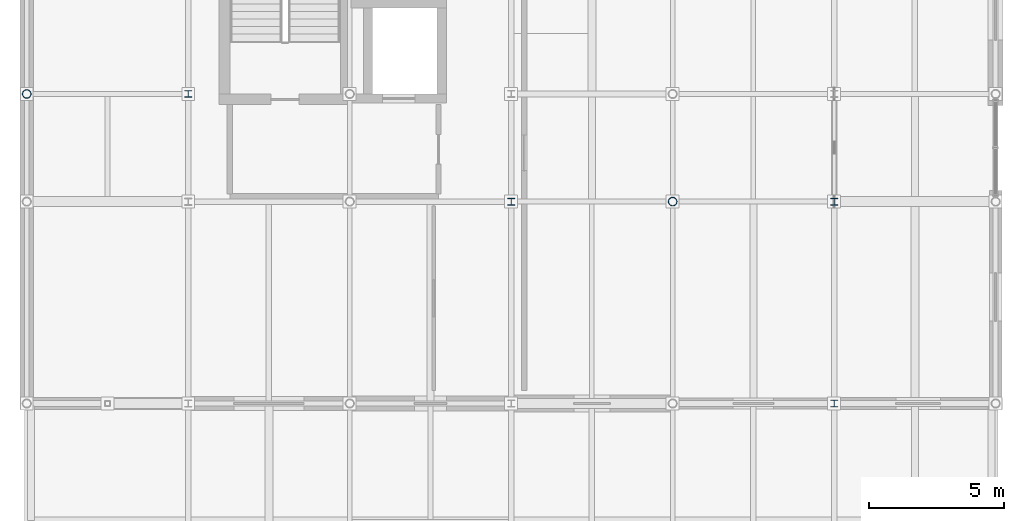
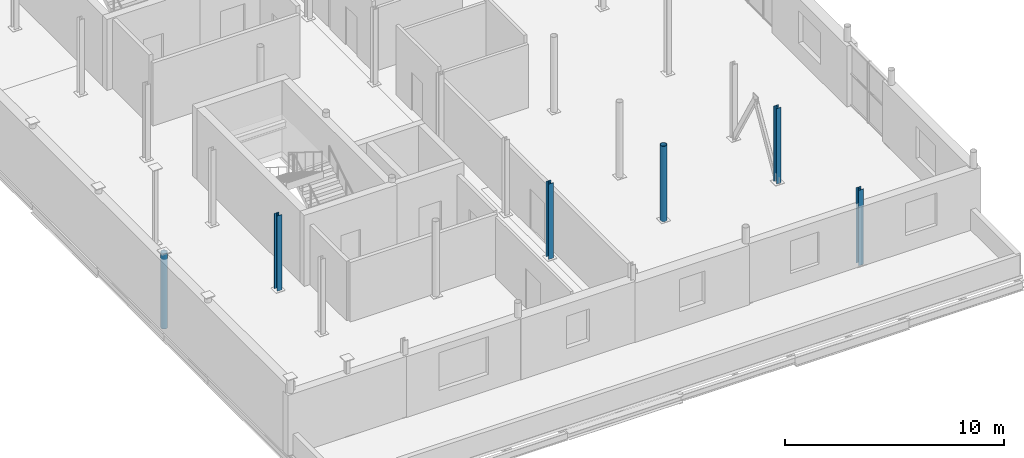
# One storey, part 2 of 30: 6 columns.
"""IFC4 building model written with IfcOpenShell, lengths in metres."""

from ifc_helpers import new_model, si_unit, direction, frame, origin, origin_2d, place, context, subcontext, project, spatial, hollow_circle, i_section, extrude, material, material_profile, profile_set, type_object, element, save


model = new_model("IFC4")

# Units and contexts
model_context = context("Model", 3, precision=1e-05, world=origin(), true_north=direction((0.0, 1.0)))
body_context = subcontext(model_context, "Body", "Model", "MODEL_VIEW")
ifc_project = project(units=[si_unit("LENGTHUNIT", "METRE"), si_unit("AREAUNIT", "SQUARE_METRE"), si_unit("VOLUMEUNIT", "CUBIC_METRE"), si_unit("PLANEANGLEUNIT", "RADIAN"), si_unit("MASSUNIT", "GRAM", prefix="KILO")], contexts=[model_context])

# Site, building, storey
site_placement = place(None, origin())
site = spatial("IfcSite", under=ifc_project, at=site_placement, CompositionType="ELEMENT")
building_placement = place(site_placement, origin())
building = spatial("IfcBuilding", under=site, at=building_placement, Name="Verrall Gate Interchange", CompositionType="ELEMENT")
storey_placement = place(building_placement, frame((0.0, 0.0, 19.39990234375)))
storey = spatial("IfcBuildingStorey", under=building, at=storey_placement, Name="L05", CompositionType="ELEMENT", Elevation=19.39990234375)

# Columns
ifc_material_1 = material(Name="Structural Steel CSA G40.21 350W", Category="steel")
ifc_material_profile_1 = material_profile(ifc_material_1, i_section(OverallWidth=0.25390625, OverallDepth=0.2529296875, WebThickness=0.008544921875, FlangeThickness=0.01416015625, FilletRadius=0.011962890625, at=origin_2d()), Name="W250x73")
ifc_profile_set_1 = profile_set([ifc_material_profile_1], Name="Structural Steel CSA G40.21 350W")
column_type_1 = type_object("IfcColumnType", Name="C-11 Column W250x73", PredefinedType="COLUMN", material=ifc_profile_set_1)
for number, where, z_axis, x_axis, name in (
    (1, (6.0, 16.0, 0.0), (0.0, 0.0, 1.0), (1.0, 0.0, 0.0), "L05 Column COL-L05-0160 (C-11)"),
    (2, (18.0, 12.0, 0.0), (0.0, 0.0, 1.0), (1.0, 0.0, 0.0), "L05 Column COL-L05-0385 (C-11)"),
    (3, (30.0, 4.5, 0.0), (0.0, 0.0, 1.0), (1.0, 0.0, 0.0), "L05 Column COL-L05-0611 (C-11)"),
    (4, (30.0, 12.0, 0.0), (0.0, 0.0, 1.0), (1.0, 0.0, 0.0), "L05 Column COL-L05-0619 (C-11)"),
):
    element("IfcColumn", number, at=place(storey_placement, frame(where, z_axis=z_axis, x_axis=x_axis)), inside=storey, type_object=column_type_1, Name=name, PredefinedType="COLUMN", context=body_context, shape_type="SweptSolid", body=[
        extrude(i_section(OverallWidth=0.25390625, OverallDepth=0.2529296875, WebThickness=0.008544921875, FlangeThickness=0.01416015625, FilletRadius=0.011962890625, at=origin_2d()), origin(), (0.0, 0.0, 1.0), 4.2001953125),
    ])
ifc_material_2 = material(Name="Structural Steel CSA G40.21 350WT Cat 4", Category="steel")
ifc_material_profile_2 = material_profile(ifc_material_2, hollow_circle(Radius=0.161865234375, WallThickness=0.0126953125, at=origin_2d()), Name="HSS324x13")
ifc_profile_set_2 = profile_set([ifc_material_profile_2], Name="Structural Steel CSA G40.21 350WT Cat 4")
column_type_2 = type_object("IfcColumnType", Name="C-15 Column HSS324x13", PredefinedType="COLUMN", material=ifc_profile_set_2)
for number, where, z_axis, x_axis, name in (
    (5, (0.0, 16.0, 0.0), (0.0, 0.0, 1.0), (1.0, 0.0, 0.0), "L05 Column COL-L05-0029 (C-15)"),
    (6, (24.0, 12.0, 0.0), (0.0, 0.0, 1.0), (1.0, 0.0, 0.0), "L05 Column COL-L05-0502 (C-15)"),
):
    element("IfcColumn", number, at=place(storey_placement, frame(where, z_axis=z_axis, x_axis=x_axis)), inside=storey, type_object=column_type_2, Name=name, PredefinedType="COLUMN", context=body_context, shape_type="SweptSolid", body=[
        extrude(hollow_circle(Radius=0.161865234375, WallThickness=0.0126953125, at=origin_2d()), origin(), (0.0, 0.0, 1.0), 4.2001953125),
    ])

save(model, "model.ifc")
